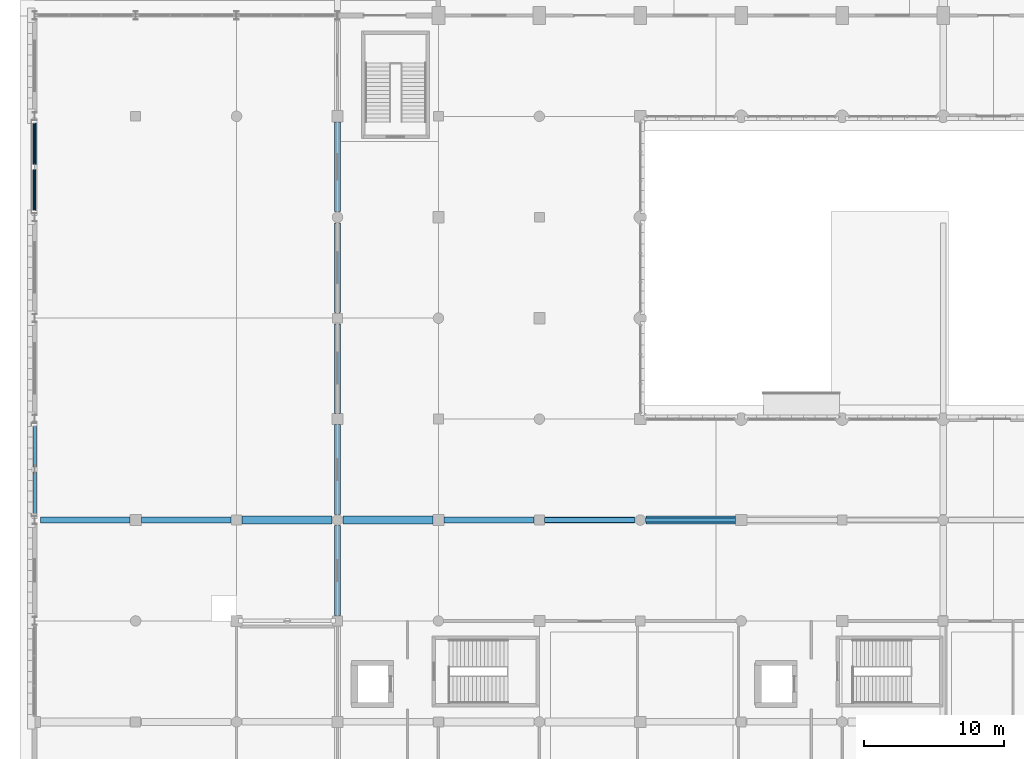
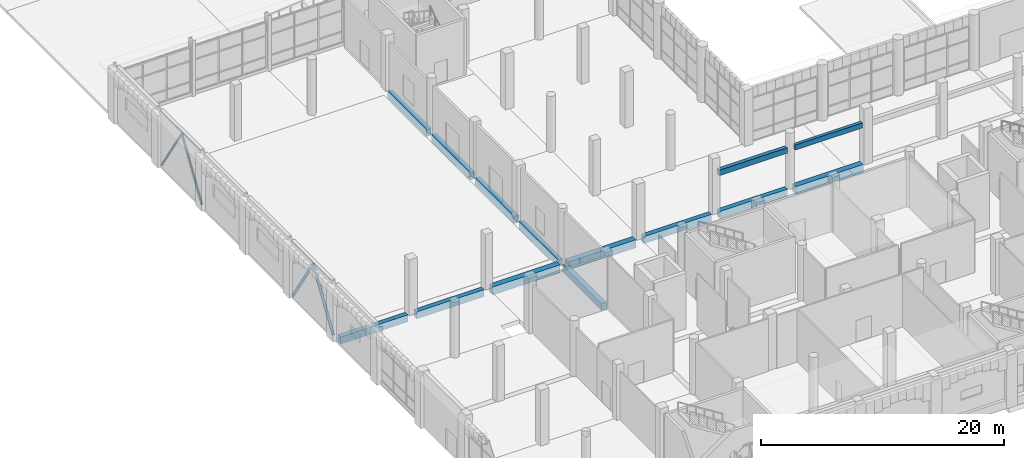
# One storey, part 11 of 85: 14 beams, 4 members.
"""IFC4 building model written with IfcOpenShell, lengths in metres."""

from ifc_helpers import new_model, si_unit, direction, frame, origin, origin_2d, place, context, subcontext, project, spatial, rectangle, hollow_circle, extrude, material, material_profile, profile_set, type_object, element, save


model = new_model("IFC4")

# Units and contexts
model_context = context("Model", 3, precision=1e-05, world=origin(), true_north=direction((0.0, 1.0)))
body_context = subcontext(model_context, "Body", "Model", "MODEL_VIEW")
ifc_project = project(units=[si_unit("LENGTHUNIT", "METRE"), si_unit("AREAUNIT", "SQUARE_METRE"), si_unit("VOLUMEUNIT", "CUBIC_METRE"), si_unit("PLANEANGLEUNIT", "RADIAN"), si_unit("MASSUNIT", "GRAM", prefix="KILO")], contexts=[model_context])

# Site, building, storey
site_placement = place(None, origin())
site = spatial("IfcSite", under=ifc_project, at=site_placement, CompositionType="ELEMENT")
building_placement = place(site_placement, origin())
building = spatial("IfcBuilding", under=site, at=building_placement, Name="Sardonyx Promenade Sports Hall", CompositionType="ELEMENT")
storey_placement = place(building_placement, origin())
storey = spatial("IfcBuildingStorey", under=building, at=storey_placement, Name="L00", CompositionType="ELEMENT", Elevation=0.0)

# Beams
ifc_material_1 = material(Name="Concrete C40/50", Category="concrete")
ifc_material_profile_1 = material_profile(ifc_material_1, rectangle(XDim=0.550048828125, YDim=0.800048828125, at=origin_2d()))
ifc_profile_set_1 = profile_set([ifc_material_profile_1], Name="Concrete C40/50")
beam_type_1 = type_object("IfcBeamType", Name="Bm_Girder_RC800", PredefinedType="BEAM", material=ifc_profile_set_1)
for number, where, z_axis, x_axis, name in (
    (1, (14.800048828125, 36.0, -0.39990234375), (1.0, 0.0, 0.0), (0.0, 1.0, 0.0), "Beam BG04 L00 #102"),
    (2, (22.0, 36.0, -0.39990234375), (1.0, 0.0, 0.0), (0.0, 1.0, 0.0), "Beam BG04 L00 #103"),
    (3, (43.60009765625, 36.0, -0.39990234375), (1.0, 0.0, 0.0), (0.0, 1.0, 0.0), "Beam BG04 L00 #106"),
):
    element("IfcBeam", number, at=place(storey_placement, frame(where, z_axis=z_axis, x_axis=x_axis)), inside=storey, type_object=beam_type_1, Name=name, PredefinedType="BEAM", context=body_context, shape_type="SweptSolid", body=[
        extrude(rectangle(XDim=0.550048828125, YDim=0.800048828125, at=origin_2d()), origin(), (0.0, 0.0, 1.0), 6.39990234375),
    ])
ifc_material_2 = material(Name="Concrete C40/50", Category="concrete")
ifc_material_profile_2 = material_profile(ifc_material_2, rectangle(XDim=0.35009765625, YDim=0.550048828125, at=origin_2d()))
ifc_profile_set_2 = profile_set([ifc_material_profile_2], Name="Concrete C40/50")
beam_type_2 = type_object("IfcBeamType", Name="Bm_Lintel_Portal", PredefinedType="LINTEL", material=ifc_profile_set_2)
beam_1_placement = place(storey_placement, frame((36.347900390625, 36.0, 3.85009765625), z_axis=(1.0, 0.0, 0.0), x_axis=(0.0, 1.0, 0.0)))
element("IfcBeam", 4, at=beam_1_placement, inside=storey, type_object=beam_type_2, Name="Riwaq sandstone portal lintel #1", PredefinedType="LINTEL", context=body_context, shape_type="SweptSolid", body=[
    extrude(rectangle(XDim=0.35009765625, YDim=0.550048828125, at=origin_2d()), origin(), (0.0, 0.0, 1.0), 6.47900390625),
])
ifc_material_3 = material(Name="Concrete C40/50", Category="concrete")
ifc_material_profile_3 = material_profile(ifc_material_3, rectangle(XDim=0.300048828125, YDim=0.5, at=origin_2d()))
ifc_profile_set_3 = profile_set([ifc_material_profile_3], Name="Concrete C40/50")
beam_type_3 = type_object("IfcBeamType", Name="Bm_Lintel_Sandstone", PredefinedType="LINTEL", material=ifc_profile_set_3)
beam_2_placement = place(storey_placement, frame((43.572998046875, 36.0, 3.85009765625), z_axis=(1.0, 0.0, 0.0), x_axis=(0.0, 1.0, 0.0)))
element("IfcBeam", 5, at=beam_2_placement, inside=storey, type_object=beam_type_3, Name="Riwaq sandstone portal lintel #2", PredefinedType="LINTEL", context=body_context, shape_type="SweptSolid", body=[
    extrude(rectangle(XDim=0.300048828125, YDim=0.5, at=origin_2d()), origin(), (0.0, 0.0, 1.0), 6.428955078125),
])
ifc_material_4 = material(Name="Concrete C40/50", Category="concrete")
ifc_material_profile_4 = material_profile(ifc_material_4, rectangle(XDim=0.449951171875, YDim=0.699951171875, at=origin_2d()))
ifc_profile_set_4 = profile_set([ifc_material_profile_4], Name="Concrete C40/50")
beam_type_4 = type_object("IfcBeamType", Name="Bm_Primary_RC700", PredefinedType="BEAM", material=ifc_profile_set_4)
beam_3_placement = place(storey_placement, frame((0.39990234375, 36.0, -0.35009765625), z_axis=(1.0, 0.0, 0.0), x_axis=(0.0, 1.0, 0.0)))
element("IfcBeam", 6, at=beam_3_placement, inside=storey, type_object=beam_type_4, Name="Beam BG01 L00 #100", PredefinedType="BEAM", context=body_context, shape_type="SweptSolid", body=[
    extrude(rectangle(XDim=0.449951171875, YDim=0.699951171875, at=origin_2d()), origin(), (0.0, 0.0, 1.0), 6.400146484375),
])
beam_4_placement = place(storey_placement, frame((7.60009765625, 36.0, -0.35009765625), z_axis=(1.0, 0.0, 0.0), x_axis=(0.0, 1.0, 0.0)))
element("IfcBeam", 7, at=beam_4_placement, inside=storey, type_object=beam_type_4, Name="Beam BG01 L00 #101", PredefinedType="BEAM", context=body_context, shape_type="SweptSolid", body=[
    extrude(rectangle(XDim=0.449951171875, YDim=0.699951171875, at=origin_2d()), origin(), (0.0, 0.0, 1.0), 6.39990234375),
])
for number, where, z_axis, x_axis, name in (
    (8, (29.199951171875, 36.0, -0.35009765625), (1.0, 0.0, 0.0), (0.0, 1.0, 0.0), "Beam BG01 L00 #104"),
    (9, (36.39990234375, 36.0, -0.35009765625), (1.0, 0.0, 0.0), (0.0, 1.0, 0.0), "Beam BG01 L00 #105"),
    (10, (21.60009765625, 29.199951171875, -0.35009765625), (0.0, 1.0, 0.0), (-1.0, 0.0, 0.0), "Beam BG01 L00 #127"),
    (11, (21.60009765625, 36.39990234375, -0.35009765625), (0.0, 1.0, 0.0), (-1.0, 0.0, 0.0), "Beam BG01 L00 #128"),
):
    element("IfcBeam", number, at=place(storey_placement, frame(where, z_axis=z_axis, x_axis=x_axis)), inside=storey, type_object=beam_type_4, Name=name, PredefinedType="BEAM", context=body_context, shape_type="SweptSolid", body=[
        extrude(rectangle(XDim=0.449951171875, YDim=0.699951171875, at=origin_2d()), origin(), (0.0, 0.0, 1.0), 6.400146484375),
    ])
for number, where, z_axis, x_axis, name in (
    (12, (21.60009765625, 43.60009765625, -0.35009765625), (0.0, 1.0, 0.0), (-1.0, 0.0, 0.0), "Beam BG01 L00 #129"),
    (13, (21.60009765625, 50.800048828125, -0.35009765625), (0.0, 1.0, 0.0), (-1.0, 0.0, 0.0), "Beam BG01 L00 #130"),
    (14, (21.60009765625, 58.0, -0.35009765625), (0.0, 1.0, 0.0), (-1.0, 0.0, 0.0), "Beam BG01 L00 #131"),
):
    element("IfcBeam", number, at=place(storey_placement, frame(where, z_axis=z_axis, x_axis=x_axis)), inside=storey, type_object=beam_type_4, Name=name, PredefinedType="BEAM", context=body_context, shape_type="SweptSolid", body=[
        extrude(rectangle(XDim=0.449951171875, YDim=0.699951171875, at=origin_2d()), origin(), (0.0, 0.0, 1.0), 6.39990234375),
    ])

# Members
ifc_material_5 = material(Name="Steel S355JR", Category="steel")
ifc_material_profile_5 = material_profile(ifc_material_5, hollow_circle(Radius=0.109619140625, WallThickness=0.010009765625, at=origin_2d()))
ifc_profile_set_5 = profile_set([ifc_material_profile_5], Name="Steel S355JR")
member_type_1 = type_object("IfcMemberType", Name="Mbr_Brace_CHS219_Ext", PredefinedType="BRACE", material=ifc_profile_set_5)
for number, where, z_axis, x_axis, name in (
    (15, (0.0, 57.89990234375, 0.02001953125), (0.0, 0.541020546305, 0.841009374785), (-1.0, 0.0, 0.0), "Chevron brace BR02 BF2 L00 leg 1"),
    (16, (0.0, 64.5, 0.02001953125), (0.0, -0.541020546305, 0.841009374785), (1.0, 0.0, 0.0), "Chevron brace BR02 BF2 L00 leg 2"),
):
    element("IfcMember", number, at=place(storey_placement, frame(where, z_axis=z_axis, x_axis=x_axis)), inside=storey, type_object=member_type_1, Name=name, PredefinedType="BRACE", context=body_context, shape_type="SweptSolid", body=[
        extrude(hollow_circle(Radius=0.109619140625, WallThickness=0.010009765625, at=origin_2d()), origin(), (0.0, 0.0, 1.0), 6.099609375),
    ])
ifc_material_6 = material(Name="Steel S355JR", Category="steel")
ifc_material_profile_6 = material_profile(ifc_material_6, hollow_circle(Radius=0.136474609375, WallThickness=0.012451171875, at=origin_2d()))
ifc_profile_set_6 = profile_set([ifc_material_profile_6], Name="Steel S355JR")
member_type_2 = type_object("IfcMemberType", Name="Mbr_Brace_CHS273_Ext", PredefinedType="BRACE", material=ifc_profile_set_6)
for number, where, z_axis, x_axis, name in (
    (17, (0.0, 36.300048828125, 0.02001953125), (0.0, 0.541020546305, 0.841009374785), (-1.0, 0.0, 0.0), "Chevron brace BR01 BF1 L00 leg 1"),
    (18, (0.0, 42.89990234375, 0.02001953125), (0.0, -0.540992235695, 0.8410275863), (1.0, 0.0, 0.0), "Chevron brace BR01 BF1 L00 leg 2"),
):
    element("IfcMember", number, at=place(storey_placement, frame(where, z_axis=z_axis, x_axis=x_axis)), inside=storey, type_object=member_type_2, Name=name, PredefinedType="BRACE", context=body_context, shape_type="SweptSolid", body=[
        extrude(hollow_circle(Radius=0.136474609375, WallThickness=0.012451171875, at=origin_2d()), origin(), (0.0, 0.0, 1.0), 6.099609375),
    ])

save(model, "model.ifc")
